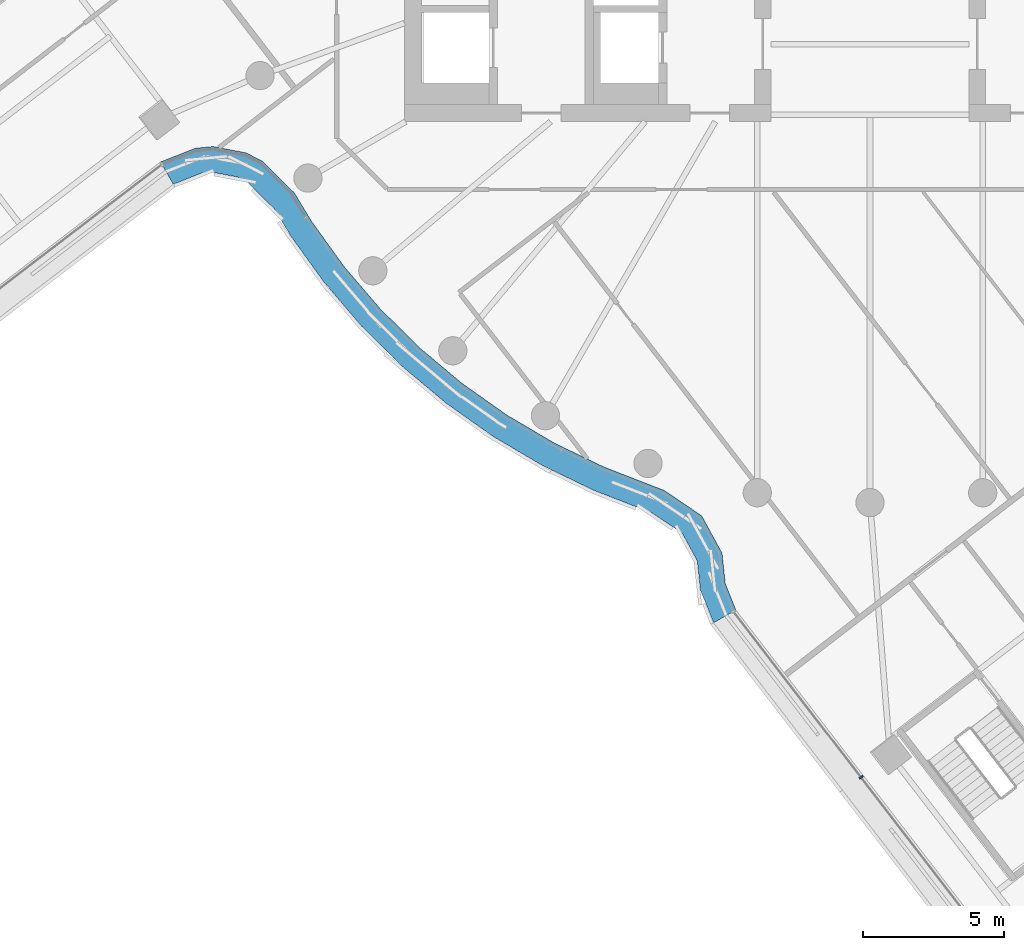
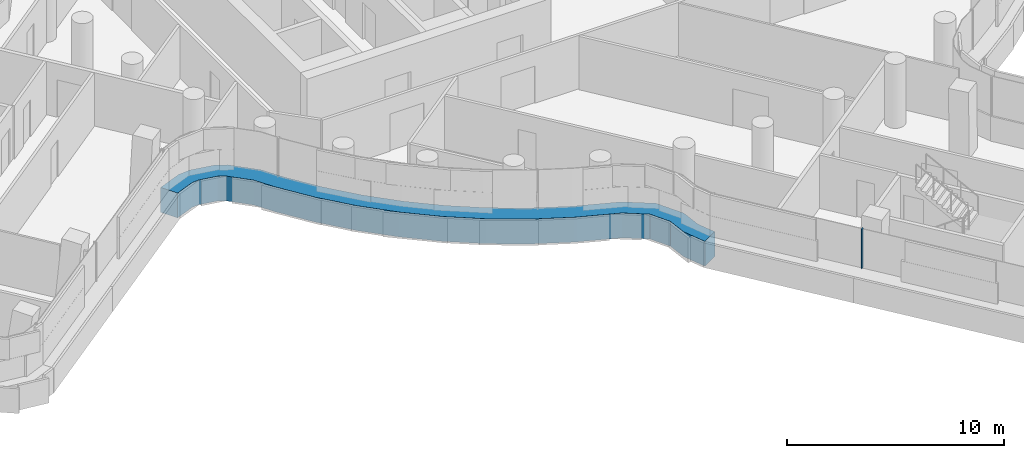
# One storey, part 3 of 33: 2 members, 2 elements without a shape of their own.
"""IFC4 building model written with IfcOpenShell, lengths in metres."""

from ifc_helpers import new_model, si_unit, direction, frame, origin, origin_2d, place, context, subcontext, project, spatial, polyline, rectangle, outline, extrude, material, layer, layer_set, material_profile, profile_set, type_object, element, aggregate, save


model = new_model("IFC4")

# Units and contexts
model_context = context("Model", 3, precision=1e-05, world=origin(), true_north=direction((0.0, 1.0)))
body_context = subcontext(model_context, "Body", "Model", "MODEL_VIEW")
ifc_project = project(units=[si_unit("LENGTHUNIT", "METRE"), si_unit("AREAUNIT", "SQUARE_METRE"), si_unit("VOLUMEUNIT", "CUBIC_METRE"), si_unit("PLANEANGLEUNIT", "RADIAN"), si_unit("MASSUNIT", "GRAM", prefix="KILO")], contexts=[model_context])

# Site, building, storey
site_placement = place(None, origin())
site = spatial("IfcSite", under=ifc_project, at=site_placement, CompositionType="ELEMENT")
building_placement = place(site_placement, origin())
building = spatial("IfcBuilding", under=site, at=building_placement, Name="Tamarind Cross Interchange Tower", CompositionType="ELEMENT")
storey_placement = place(building_placement, frame((0.0, 0.0, 170.5)))
storey = spatial("IfcBuildingStorey", under=building, at=storey_placement, Name="L42", CompositionType="ELEMENT", Elevation=170.5)

# Curtain wall, member
ifc_material_1 = material(Name="Aluminium 6063-T6", Category="aluminium")
ifc_layer = layer(ifc_material_1, 0.159912109375)
ifc_layer_set = layer_set([ifc_layer], Name="Aluminium 6063-T6")
curtain_wall_type = type_object("IfcCurtainWallType", Name="Office curtain wall, 9.0 m bays", PredefinedType="NOTDEFINED", material=ifc_layer_set)
curtain_wall_1_placement = place(storey_placement, origin())
curtain_wall_1 = element("IfcCurtainWall", 1, at=curtain_wall_1_placement, inside=storey, type_object=curtain_wall_type, Name="CWS-L42-10", PredefinedType="NOTDEFINED")
ifc_material_2 = material(Name="Aluminium and insulated spandrel panel", Category="aluminium")
member_type_1 = type_object("IfcMemberType", Name="Floor-edge blade transom", PredefinedType="USERDEFINED", material=ifc_material_2)
member_1_placement = place(storey_placement, origin())
member_1 = element("IfcMember", 2, at=member_1_placement, type_object=member_type_1, Name="CWT-L42-10", ObjectType="TRANSOM", PredefinedType="USERDEFINED", context=body_context, shape_type="SweptSolid", body=[
    extrude(outline(polyline([(-25.139892578125, -10.9267578125), (-23.904296875, -10.440673828125), (-23.27734375, -10.382080078125), (-22.112548828125, -10.604248046875), (-21.547607421875, -10.891357421875), (-20.404541015625, -12.0166015625), (-19.781494140625, -13.045166015625), (-18.636474609375, -14.634521484375), (-17.3642578125, -16.12353515625), (-15.973388671875, -17.50244140625), (-14.4736328125, -18.76171875), (-12.874755859375, -19.892822265625), (-11.188232421875, -20.88818359375), (-9.424560546875, -21.74072265625), (-7.288818359375, -22.569091796875), (-5.9638671875, -23.468017578125), (-5.24267578125, -24.792724609375), (-5.12744140625, -25.8759765625), (-4.75390625, -26.8076171875), (-5.542724609375, -27.25830078125), (-6.009033203125, -26.09521484375), (-6.11865234375, -25.06591796875), (-6.64990234375, -24.090087890625), (-7.70947265625, -23.371337890625), (-9.783935546875, -22.56689453125), (-11.613525390625, -21.68212890625), (-13.3642578125, -20.64892578125), (-15.023681640625, -19.474853515625), (-16.580810546875, -18.167724609375), (-18.0244140625, -16.736572265625), (-19.344970703125, -15.19091796875), (-20.53271484375, -13.542236328125), (-21.1162109375, -12.5791015625), (-22.079833984375, -11.63037109375), (-22.40673828125, -11.46435546875), (-23.320556640625, -11.2900390625), (-23.693603515625, -11.324951171875), (-24.69287109375, -11.718017578125), (-25.139892578125, -10.9267578125)])), origin(), (0.0, 0.0, 1.0), 1.39990234375),
])
aggregate(curtain_wall_1, [member_1])

curtain_wall_2_placement = place(storey_placement, origin())
curtain_wall_2 = element("IfcCurtainWall", 3, at=curtain_wall_2_placement, inside=storey, type_object=curtain_wall_type, Name="CWS-L42-11", PredefinedType="NOTDEFINED")
ifc_material_profile = material_profile(ifc_material_1, rectangle(XDim=0.06005859375, YDim=0.159912109375, at=origin_2d()), Name="Mullion CW1")
ifc_profile_set = profile_set([ifc_material_profile], Name="Aluminium 6063-T6")
member_type_2 = type_object("IfcMemberType", Name="Mullion CW1", PredefinedType="MULLION", material=ifc_profile_set)
member_2_placement = place(storey_placement, frame((-0.314453125, -32.7333984375, 1.39990234375), z_axis=(0.0, 0.0, 1.0), x_axis=(0.610322147879, -0.792153315847, 0.0)))
member_2 = element("IfcMember", 4, at=member_2_placement, type_object=member_type_2, Name="CWM-L42-11-01", PredefinedType="MULLION", context=body_context, shape_type="SweptSolid", body=[
    extrude(rectangle(XDim=0.06005859375, YDim=0.159912109375, at=origin_2d()), origin(), (0.0, 0.0, 1.0), 2.210205078125),
])
aggregate(curtain_wall_2, [member_2])

save(model, "model.ifc")
